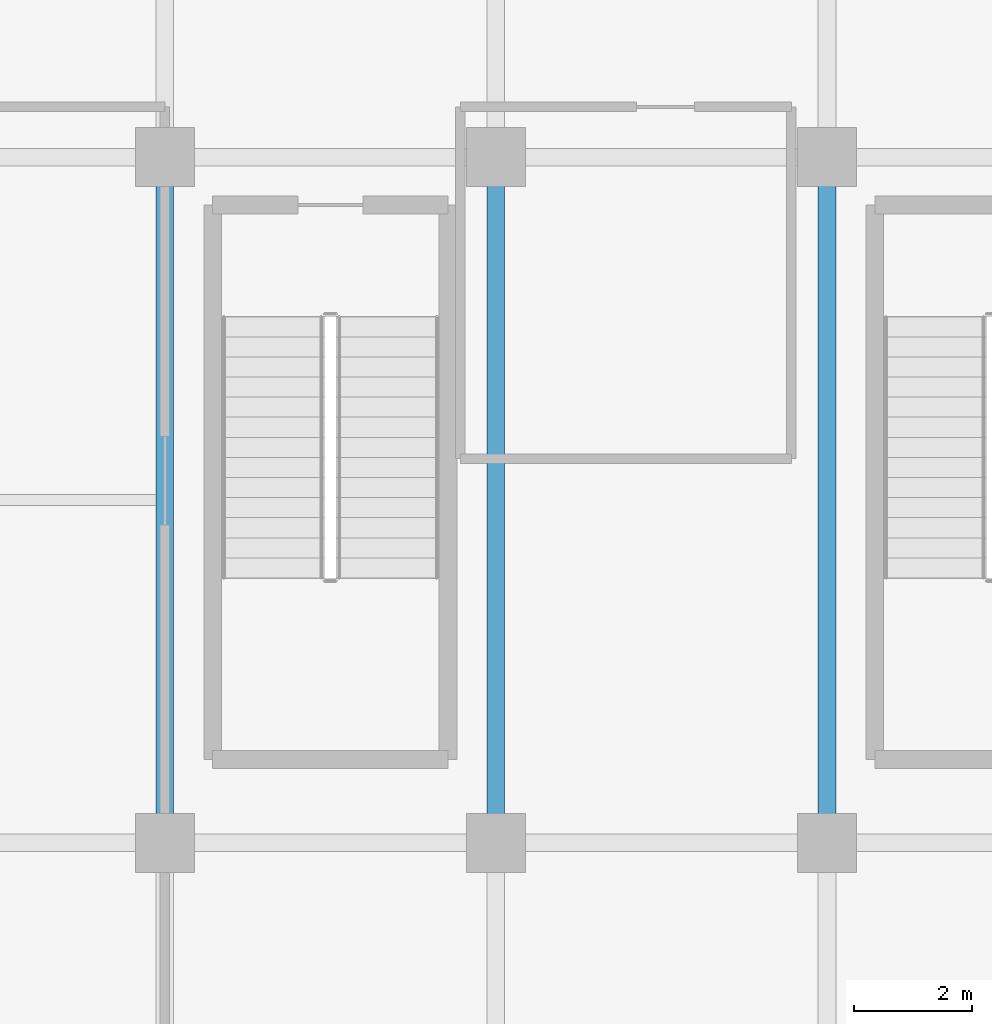
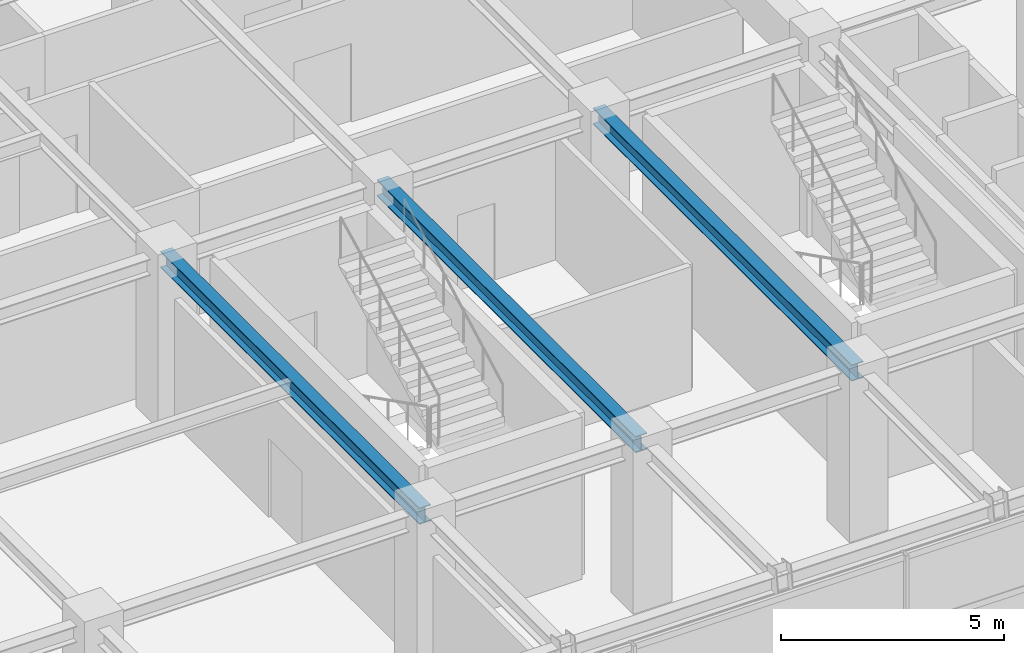
# One storey, part 5 of 28: 3 beams.
"""IFC4 building model written with IfcOpenShell, lengths in metres."""

from ifc_helpers import new_model, si_unit, direction, frame, origin, origin_2d, place, context, subcontext, project, spatial, i_section, extrude, source, transform, mapped, material, material_profile, profile_set, type_object, element, save


model = new_model("IFC4")

# Units and contexts
model_context = context("Model", 3, precision=1e-05, world=origin(), true_north=direction((0.0, 1.0)))
body_context = subcontext(model_context, "Body", "Model", "MODEL_VIEW")
ifc_project = project(units=[si_unit("LENGTHUNIT", "METRE"), si_unit("AREAUNIT", "SQUARE_METRE"), si_unit("VOLUMEUNIT", "CUBIC_METRE"), si_unit("PLANEANGLEUNIT", "RADIAN"), si_unit("MASSUNIT", "GRAM", prefix="KILO")], contexts=[model_context])

# Site, building, storey
site_placement = place(None, origin())
site = spatial("IfcSite", under=ifc_project, at=site_placement, CompositionType="ELEMENT")
building_placement = place(site_placement, origin())
building = spatial("IfcBuilding", under=site, at=building_placement, Name="Nahalor Promenade Grand Hotel", CompositionType="ELEMENT")
storey_placement = place(building_placement, frame((0.0, 0.0, 256.699951171875)))
storey = spatial("IfcBuildingStorey", under=building, at=storey_placement, Name="L66", CompositionType="ELEMENT", Elevation=256.699951171875)

# Beams
ifc_material = material(Name="Steel S355JR", Category="steel")
ifc_material_profile = material_profile(ifc_material, i_section(OverallWidth=0.3, OverallDepth=0.45, WebThickness=0.014, FlangeThickness=0.026, at=origin_2d()), Name="HEB 450")
ifc_profile_set = profile_set([ifc_material_profile], Name="Steel S355JR")
beam_type = type_object("IfcBeamType", Name="Beam-Girder-HEB450", PredefinedType="BEAM", material=ifc_profile_set)
shared_shape = source(origin(), body_context, "Body", "SweptSolid", [
    extrude(i_section(OverallWidth=0.3, OverallDepth=0.45, WebThickness=0.014, FlangeThickness=0.026, at=origin_2d()), origin(), (0.0, 0.0, 1.0), 11.60009765625),
])
for number, where, z_axis, x_axis, name in (
    (1, (-8.39990234375, -17.0, 4.215087890625), (0.0, 1.0, 0.0), (-1.0, 0.0, 0.0), "BM-L66-GY-1-1"),
    (2, (-2.800048828125, -17.0, 4.215087890625), (0.0, 1.0, 0.0), (-1.0, 0.0, 0.0), "BM-L66-GY-2-1"),
    (3, (2.800048828125, -17.0, 4.215087890625), (0.0, 1.0, 0.0), (-1.0, 0.0, 0.0), "BM-L66-GY-3-1"),
):
    element("IfcBeam", number, at=place(storey_placement, frame(where, z_axis=z_axis, x_axis=x_axis)), inside=storey, type_object=beam_type, Name=name, PredefinedType="BEAM", context=body_context, shape_type="MappedRepresentation", body=[
        mapped(shared_shape, transform((0.0, 0.0, 0.0), scale=1.0)),
    ])

save(model, "model.ifc")
